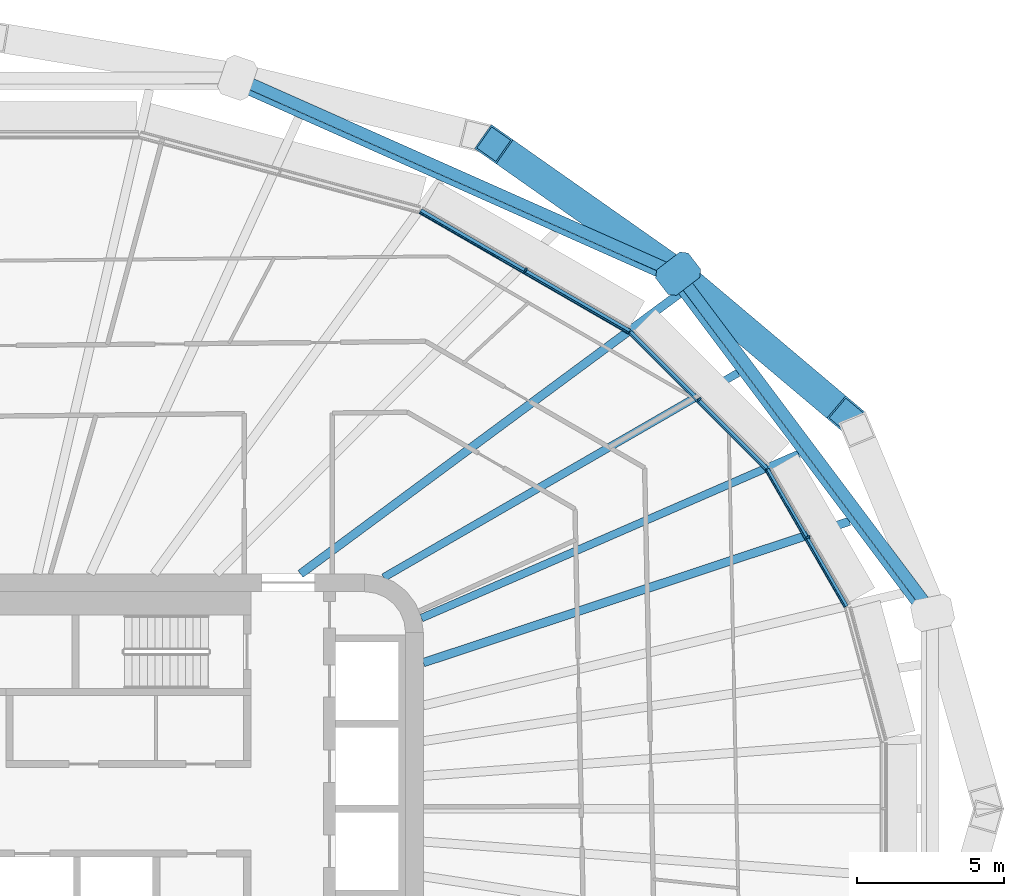
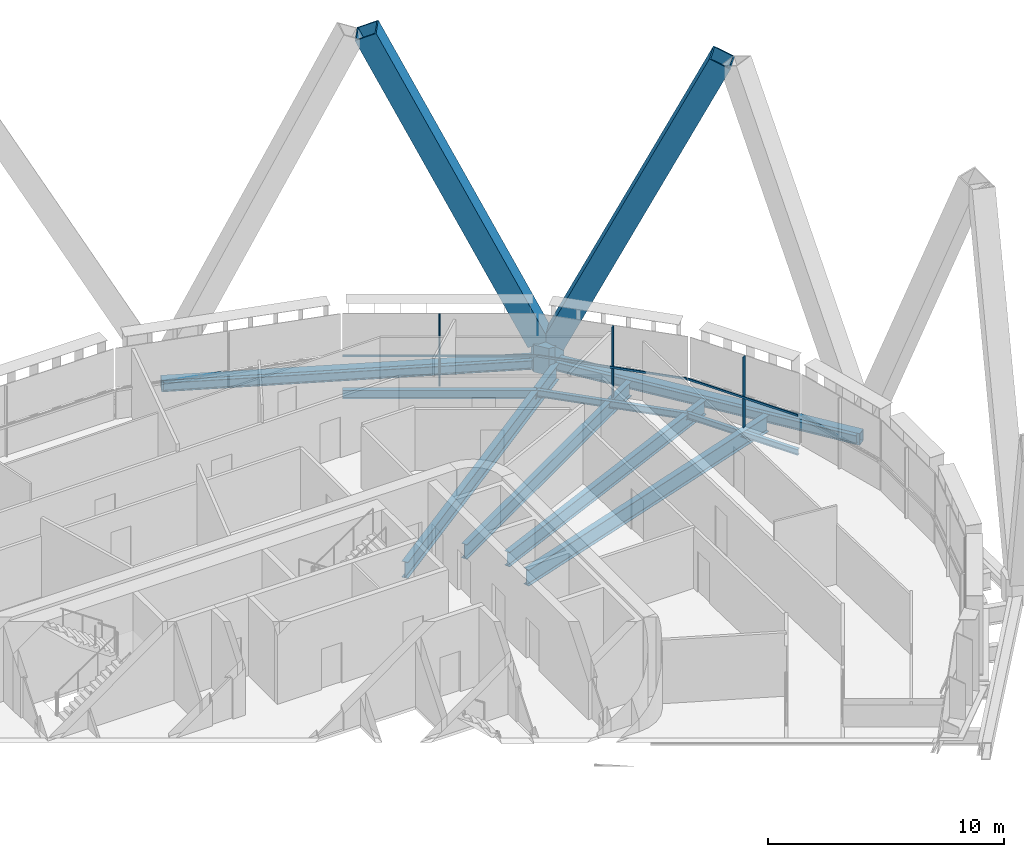
# One storey, part 10 of 25: 11 beams, 9 members, 3 elements without a shape of their own.
"""IFC4 building model written with IfcOpenShell, lengths in metres."""

from ifc_helpers import new_model, si_unit, direction, frame, origin, origin_2d, place, context, subcontext, project, spatial, polyline, rectangle, hollow_rectangle, i_section, outline, extrude, material, layer, layer_set, material_profile, profile_set, type_object, element, aggregate, save


model = new_model("IFC4")

# Units and contexts
model_context = context("Model", 3, precision=1e-05, world=origin(), true_north=direction((0.0, 1.0)))
body_context = subcontext(model_context, "Body", "Model", "MODEL_VIEW")
ifc_project = project(units=[si_unit("LENGTHUNIT", "METRE"), si_unit("AREAUNIT", "SQUARE_METRE"), si_unit("VOLUMEUNIT", "CUBIC_METRE"), si_unit("PLANEANGLEUNIT", "RADIAN"), si_unit("MASSUNIT", "GRAM", prefix="KILO")], contexts=[model_context])

# Site, building, storey
site_placement = place(None, origin())
site = spatial("IfcSite", under=ifc_project, at=site_placement, CompositionType="ELEMENT")
building_placement = place(site_placement, origin())
building = spatial("IfcBuilding", under=site, at=building_placement, Name="Sahrelin Media Tower", CompositionType="ELEMENT")
storey_placement = place(building_placement, frame((0.0, 0.0, 63.0)))
storey = spatial("IfcBuildingStorey", under=building, at=storey_placement, Name="L10", CompositionType="ELEMENT", Elevation=63.0)

# Members
ifc_material_1 = material(Name="Steel S460", Category="steel")
ifc_material_profile_1 = material_profile(ifc_material_1, hollow_rectangle(XDim=1.0, YDim=1.0, WallThickness=0.06005859375, at=origin_2d()), Name="Diagrid diagonal DG1")
ifc_profile_set_1 = profile_set([ifc_material_profile_1], Name="Steel S460")
member_type_1 = type_object("IfcMemberType", Name="Diagrid diagonal DG1", PredefinedType="BRACE", material=ifc_profile_set_1)
member_1_placement = place(storey_placement, frame((23.930419921875, 18.01708984375, 0.699951171875), z_axis=(0.322789301353, -0.272234018557, 0.90647432731), x_axis=(0.644705674883, 0.764430894701, 0.0)))
element("IfcMember", 1, at=member_1_placement, inside=storey, type_object=member_type_1, Name="Diagrid diagonal D01-02", PredefinedType="BRACE", context=body_context, shape_type="SweptSolid", body=[
    extrude(hollow_rectangle(XDim=1.0, YDim=1.0, WallThickness=0.06005859375, at=origin_2d()), origin(), (0.0, 0.0, 1.0), 16.989013671875),
])
member_2_placement = place(storey_placement, frame((23.408203125, 18.419189453125, 0.699951171875), z_axis=(-0.352189140752, 0.247399563402, 0.902638501929), x_axis=(-0.574813771639, -0.818284258638, 0.0)))
element("IfcMember", 2, at=member_2_placement, inside=storey, type_object=member_type_1, Name="Diagrid diagonal D01-03", PredefinedType="BRACE", context=body_context, shape_type="SweptSolid", body=[
    extrude(hollow_rectangle(XDim=1.0, YDim=1.0, WallThickness=0.06005859375, at=origin_2d()), origin(), (0.0, 0.0, 1.0), 17.061279296875),
])
ifc_material_profile_2 = material_profile(ifc_material_1, outline(polyline([(0.5, -0.550048828125), (0.699951171875, -0.35009765625), (0.699951171875, 0.35009765625), (0.5, 0.550048828125), (-0.5, 0.550048828125), (-0.699951171875, 0.35009765625), (-0.699951171875, -0.35009765625), (-0.5, -0.550048828125), (0.5, -0.550048828125)])), Name="Diagrid node block 1400")
ifc_profile_set_2 = profile_set([ifc_material_profile_2], Name="Steel S460")
member_type_2 = type_object("IfcMemberType", Name="Diagrid node block 1400", PredefinedType="USERDEFINED", material=ifc_profile_set_2)
member_3_placement = place(storey_placement, frame((23.68115234375, 18.227294921875, -0.699951171875), z_axis=(0.0, 0.0, 1.0), x_axis=(0.792445093645, 0.609943254376, 0.0)))
element("IfcMember", 3, at=member_3_placement, inside=storey, type_object=member_type_2, Name="Diagrid node N01-01", ObjectType="NODE", PredefinedType="USERDEFINED", context=body_context, shape_type="SweptSolid", body=[
    extrude(outline(polyline([(0.5, -0.550048828125), (0.699951171875, -0.35009765625), (0.699951171875, 0.35009765625), (0.5, 0.550048828125), (-0.5, 0.550048828125), (-0.699951171875, 0.35009765625), (-0.699951171875, -0.35009765625), (-0.5, -0.550048828125), (0.5, -0.550048828125)])), origin(), (0.0, 0.0, 1.0), 1.39990234375),
])

# Beams
ifc_material_profile_3 = material_profile(ifc_material_1, hollow_rectangle(XDim=0.39990234375, YDim=0.60009765625, WallThickness=0.030029296875, at=origin_2d()), Name="Diagrid ring beam RB1")
ifc_profile_set_3 = profile_set([ifc_material_profile_3], Name="Steel S460")
beam_type_1 = type_object("IfcBeamType", Name="Diagrid ring beam RB1", PredefinedType="BEAM", material=ifc_profile_set_3)
beam_1_placement = place(storey_placement, frame((32.34912109375, 6.671630859375, -0.449951171875), z_axis=(-0.600054081917, 0.799959435706, 0.0), x_axis=(-0.799959435706, -0.600054081917, 0.0)))
element("IfcBeam", 4, at=beam_1_placement, inside=storey, type_object=beam_type_1, Name="Diagrid ring beam RB01-00", PredefinedType="BEAM", context=body_context, shape_type="SweptSolid", body=[
    extrude(hollow_rectangle(XDim=0.39990234375, YDim=0.60009765625, WallThickness=0.030029296875, at=origin_2d()), origin(), (0.0, 0.0, 1.0), 14.4453125),
])
beam_2_placement = place(storey_placement, frame((23.68115234375, 18.227294921875, -0.449951171875), z_axis=(-0.913826255234, 0.406105374558, 0.0), x_axis=(-0.406105374558, -0.913826255234, 0.0)))
element("IfcBeam", 5, at=beam_2_placement, inside=storey, type_object=beam_type_1, Name="Diagrid ring beam RB01-01", PredefinedType="BEAM", context=body_context, shape_type="SweptSolid", body=[
    extrude(hollow_rectangle(XDim=0.39990234375, YDim=0.60009765625, WallThickness=0.030029296875, at=origin_2d()), origin(), (0.0, 0.0, 1.0), 16.428955078125),
])
ifc_material_2 = material(Name="Steel S355", Category="steel")
ifc_material_profile_4 = material_profile(ifc_material_2, i_section(OverallWidth=0.1650390625, OverallDepth=0.303466796875, WebThickness=0.006103515625, FlangeThickness=0.01025390625, FilletRadius=0.0087890625, at=origin_2d()), Name="UB 305x165x40")
ifc_profile_set_4 = profile_set([ifc_material_profile_4], Name="Steel S355")
beam_type_2 = type_object("IfcBeamType", Name="Edge beam EB2", PredefinedType="BEAM", material=ifc_profile_set_4)
beam_3_placement = place(storey_placement, frame((26.703125, 11.55810546875, -0.3017578125), z_axis=(0.500003162844, -0.866023577708, 0.0), x_axis=(0.866023577708, 0.500003162844, 0.0)))
element("IfcBeam", 6, at=beam_3_placement, inside=storey, type_object=beam_type_2, Name="Edge beam L10-23", PredefinedType="BEAM", context=body_context, shape_type="SweptSolid", body=[
    extrude(i_section(OverallWidth=0.1650390625, OverallDepth=0.303466796875, WebThickness=0.006103515625, FlangeThickness=0.01025390625, FilletRadius=0.0087890625, at=origin_2d()), origin(), (0.0, 0.0, 1.0), 5.3955078125),
])
ifc_material_profile_5 = material_profile(ifc_material_2, i_section(OverallWidth=0.17138671875, OverallDepth=0.35498046875, WebThickness=0.00732421875, FlangeThickness=0.011474609375, FilletRadius=0.01025390625, at=origin_2d()), Name="UB 356x171x51")
ifc_profile_set_5 = profile_set([ifc_material_profile_5], Name="Steel S355")
beam_type_3 = type_object("IfcBeamType", Name="Edge beam EB3", PredefinedType="BEAM", material=ifc_profile_set_5)
beam_4_placement = place(storey_placement, frame((22.03662109375, 16.22998046875, -0.327392578125), z_axis=(0.707106781187, -0.707106781187, 0.0), x_axis=(0.707106781187, 0.707106781187, 0.0)))
element("IfcBeam", 7, at=beam_4_placement, inside=storey, type_object=beam_type_3, Name="Edge beam L10-22", PredefinedType="BEAM", context=body_context, shape_type="SweptSolid", body=[
    extrude(i_section(OverallWidth=0.17138671875, OverallDepth=0.35498046875, WebThickness=0.00732421875, FlangeThickness=0.011474609375, FilletRadius=0.01025390625, at=origin_2d()), origin(), (0.0, 0.0, 1.0), 6.574951171875),
])
ifc_material_profile_6 = material_profile(ifc_material_2, i_section(OverallWidth=0.1904296875, OverallDepth=0.45703125, WebThickness=0.009033203125, FlangeThickness=0.014404296875, FilletRadius=0.01025390625, at=origin_2d()), Name="UB 457x191x74")
ifc_profile_set_6 = profile_set([ifc_material_profile_6], Name="Steel S355")
beam_type_4 = type_object("IfcBeamType", Name="Edge beam EB5", PredefinedType="BEAM", material=ifc_profile_set_6)
beam_5_placement = place(storey_placement, frame((14.895263671875, 20.357421875, -0.37841796875), z_axis=(0.866022854634, -0.500004415232, 0.0), x_axis=(0.500004415232, 0.866022854634, 0.0)))
element("IfcBeam", 8, at=beam_5_placement, inside=storey, type_object=beam_type_4, Name="Edge beam L10-21", PredefinedType="BEAM", context=body_context, shape_type="SweptSolid", body=[
    extrude(i_section(OverallWidth=0.1904296875, OverallDepth=0.45703125, WebThickness=0.009033203125, FlangeThickness=0.014404296875, FilletRadius=0.01025390625, at=origin_2d()), origin(), (0.0, 0.0, 1.0), 8.2197265625),
])

# Curtain wall, member
ifc_material_3 = material(Name="Champagne anodised aluminium 6063-T6", Category="aluminium")
ifc_layer = layer(ifc_material_3, 0.14990234375)
ifc_layer_set = layer_set([ifc_layer], Name="Tower ribbon curtain wall")
curtain_wall_type = type_object("IfcCurtainWallType", Name="Tower ribbon curtain wall", PredefinedType="NOTDEFINED", material=ifc_layer_set)
curtain_wall_1_placement = place(storey_placement, frame((28.181884765625, 9.296630859375, 0.0), z_axis=(0.0, 0.0, 1.0), x_axis=(1.0, 0.0, 0.0)))
curtain_wall_1 = element("IfcCurtainWall", 9, at=curtain_wall_1_placement, inside=storey, type_object=curtain_wall_type, Name="L10:CW:L10-02", PredefinedType="NOTDEFINED")
ifc_material_profile_7 = material_profile(ifc_material_3, rectangle(XDim=0.06005859375, YDim=0.14990234375, at=origin_2d()), Name="Mullion 60x150")
ifc_profile_set_7 = profile_set([ifc_material_profile_7], Name="Champagne anodised aluminium 6063-T6")
member_type_3 = type_object("IfcMemberType", Name="Mullion 60x150 CW1", PredefinedType="MULLION", material=ifc_profile_set_7)
member_4_placement = place(storey_placement, frame((28.099609375, 9.249267578125, 0.0), z_axis=(0.0, 0.0, 1.0), x_axis=(-0.499996976998, 0.866027149108, 0.0)))
member_4 = element("IfcMember", 10, at=member_4_placement, type_object=member_type_3, Name="L10:CWM:L10-02", PredefinedType="MULLION", context=body_context, shape_type="SweptSolid", body=[
    extrude(rectangle(XDim=0.06005859375, YDim=0.14990234375, at=origin_2d()), origin(), (0.0, 0.0, 1.0), 3.648681640625),
])

curtain_wall_2_placement = place(storey_placement, frame((24.46728515625, 14.011474609375, 0.0), z_axis=(0.0, 0.0, 1.0), x_axis=(1.0, 0.0, 0.0)))
curtain_wall_2 = element("IfcCurtainWall", 11, at=curtain_wall_2_placement, inside=storey, type_object=curtain_wall_type, Name="L10:CW:L10-03", PredefinedType="NOTDEFINED")
member_5_placement = place(storey_placement, frame((24.39990234375, 13.9443359375, 0.0), z_axis=(0.0, 0.0, 1.0), x_axis=(-0.707106781187, 0.707106781187, 0.0)))
member_5 = element("IfcMember", 12, at=member_5_placement, type_object=member_type_3, Name="L10:CWM:L10-03", PredefinedType="MULLION", context=body_context, shape_type="SweptSolid", body=[
    extrude(rectangle(XDim=0.06005859375, YDim=0.14990234375, at=origin_2d()), origin(), (0.0, 0.0, 1.0), 3.648681640625),
])

curtain_wall_3_placement = place(storey_placement, frame((18.529296875, 18.432373046875, 0.0), z_axis=(0.0, 0.0, 1.0), x_axis=(1.0, 0.0, 0.0)))
curtain_wall_3 = element("IfcCurtainWall", 13, at=curtain_wall_3_placement, inside=storey, type_object=curtain_wall_type, Name="L10:CW:L10-04", PredefinedType="NOTDEFINED")
member_6_placement = place(storey_placement, frame((18.48193359375, 18.35009765625, 0.0), z_axis=(0.0, 0.0, 1.0), x_axis=(-0.866025403784, 0.5, 0.0)))
member_6 = element("IfcMember", 14, at=member_6_placement, type_object=member_type_3, Name="L10:CWM:L10-04", PredefinedType="MULLION", context=body_context, shape_type="SweptSolid", body=[
    extrude(rectangle(XDim=0.06005859375, YDim=0.14990234375, at=origin_2d()), origin(), (0.0, 0.0, 1.0), 3.648681640625),
])

# Beams
ifc_material_profile_8 = material_profile(ifc_material_2, i_section(OverallWidth=0.291748046875, OverallDepth=0.8349609375, WebThickness=0.013916015625, FlangeThickness=0.018798828125, FilletRadius=0.017822265625, at=origin_2d()), Name="UB 838x292x176")
ifc_profile_set_8 = profile_set([ifc_material_profile_8], Name="Steel S355")
beam_type_5 = type_object("IfcBeamType", Name="Radial primary beam PB10", PredefinedType="BEAM", material=ifc_profile_set_8)
beam_6_placement = place(storey_placement, frame((10.8154296875, 8.0, -0.5673828125), z_axis=(0.803971039313, 0.59466845212, 0.0), x_axis=(-0.59466845212, 0.803971039313, 0.0)))
element("IfcBeam", 15, at=beam_6_placement, inside=storey, type_object=beam_type_5, Name="Radial beam L10-04", PredefinedType="BEAM", context=body_context, shape_type="SweptSolid", body=[
    extrude(i_section(OverallWidth=0.291748046875, OverallDepth=0.8349609375, WebThickness=0.013916015625, FlangeThickness=0.018798828125, FilletRadius=0.017822265625, at=origin_2d()), origin(), (0.0, 0.0, 1.0), 16.033935546875),
])
ifc_material_profile_9 = material_profile(ifc_material_2, i_section(OverallWidth=0.26513671875, OverallDepth=0.75390625, WebThickness=0.0126953125, FlangeThickness=0.017578125, FilletRadius=0.0166015625, at=origin_2d()), Name="UB 762x267x147")
ifc_profile_set_9 = profile_set([ifc_material_profile_9], Name="Steel S355")
beam_type_6 = type_object("IfcBeamType", Name="Radial primary beam PB9", PredefinedType="BEAM", material=ifc_profile_set_9)
beam_7_placement = place(storey_placement, frame((14.934814453125, 6.495361328125, -0.527099609375), z_axis=(0.917024373813, 0.398831164572, 0.0), x_axis=(-0.398831164572, 0.917024373813, 0.0)))
element("IfcBeam", 16, at=beam_7_placement, inside=storey, type_object=beam_type_6, Name="Radial beam L10-03", PredefinedType="BEAM", context=body_context, shape_type="SweptSolid", body=[
    extrude(i_section(OverallWidth=0.26513671875, OverallDepth=0.75390625, WebThickness=0.0126953125, FlangeThickness=0.017578125, FilletRadius=0.0166015625, at=origin_2d()), origin(), (0.0, 0.0, 1.0), 14.02099609375),
])
ifc_material_profile_10 = material_profile(ifc_material_2, i_section(OverallWidth=0.291748046875, OverallDepth=0.8349609375, WebThickness=0.013916015625, FlangeThickness=0.018798828125, FilletRadius=0.017822265625, at=origin_2d()), Name="UB 838x292x176")
ifc_profile_set_10 = profile_set([ifc_material_profile_10], Name="Steel S355")
beam_type_7 = type_object("IfcBeamType", Name="Radial secondary beam SB10", PredefinedType="BEAM", material=ifc_profile_set_10)
beam_8_placement = place(storey_placement, frame((15.0, 4.97607421875, -0.5673828125), z_axis=(0.949135713963, 0.314867268035, 0.0), x_axis=(-0.314867268035, 0.949135713963, 0.0)))
element("IfcBeam", 17, at=beam_8_placement, inside=storey, type_object=beam_type_7, Name="Secondary beam L10-02", PredefinedType="BEAM", context=body_context, shape_type="SweptSolid", body=[
    extrude(i_section(OverallWidth=0.291748046875, OverallDepth=0.8349609375, WebThickness=0.013916015625, FlangeThickness=0.018798828125, FilletRadius=0.017822265625, at=origin_2d()), origin(), (0.0, 0.0, 1.0), 15.292724609375),
])
ifc_material_profile_11 = material_profile(ifc_material_2, i_section(OverallWidth=0.26513671875, OverallDepth=0.75390625, WebThickness=0.0126953125, FlangeThickness=0.017578125, FilletRadius=0.0166015625, at=origin_2d()), Name="UB 762x267x147")
ifc_profile_set_11 = profile_set([ifc_material_profile_11], Name="Steel S355")
beam_type_8 = type_object("IfcBeamType", Name="Radial secondary beam SB9", PredefinedType="BEAM", material=ifc_profile_set_11)
beam_9_placement = place(storey_placement, frame((13.647216796875, 7.87841796875, -0.527099609375), z_axis=(0.866051448613, 0.499954886321, 0.0), x_axis=(-0.499954886321, 0.866051448613, 0.0)))
element("IfcBeam", 18, at=beam_9_placement, inside=storey, type_object=beam_type_8, Name="Secondary beam L10-03", PredefinedType="BEAM", context=body_context, shape_type="SweptSolid", body=[
    extrude(i_section(OverallWidth=0.26513671875, OverallDepth=0.75390625, WebThickness=0.0126953125, FlangeThickness=0.017578125, FilletRadius=0.0166015625, at=origin_2d()), origin(), (0.0, 0.0, 1.0), 13.941650390625),
])
ifc_material_profile_12 = material_profile(ifc_material_2, i_section(OverallWidth=0.1904296875, OverallDepth=0.45703125, WebThickness=0.009033203125, FlangeThickness=0.014404296875, FilletRadius=0.01025390625, at=origin_2d()), Name="UB 457x191x74")
ifc_profile_set_12 = profile_set([ifc_material_profile_12], Name="Steel S355")
beam_type_9 = type_object("IfcBeamType", Name="Tie chord TC5", PredefinedType="BEAM", material=ifc_profile_set_12)
beam_10_placement = place(storey_placement, frame((8.604248046875, 24.598876953125, -0.37841796875), z_axis=(0.913831946154, -0.406092568497, 0.0), x_axis=(0.406092568497, 0.913831946154, 0.0)))
element("IfcBeam", 19, at=beam_10_placement, inside=storey, type_object=beam_type_9, Name="Tie chord L10-11", PredefinedType="BEAM", context=body_context, shape_type="SweptSolid", body=[
    extrude(i_section(OverallWidth=0.1904296875, OverallDepth=0.45703125, WebThickness=0.009033203125, FlangeThickness=0.014404296875, FilletRadius=0.01025390625, at=origin_2d()), origin(), (0.0, 0.0, 1.0), 16.286865234375),
])
beam_11_placement = place(storey_placement, frame((23.48779296875, 17.98486328125, -0.37841796875), z_axis=(0.600057493907, -0.799956876341, 0.0), x_axis=(0.799956876341, 0.600057493907, 0.0)))
element("IfcBeam", 20, at=beam_11_placement, inside=storey, type_object=beam_type_9, Name="Tie chord L10-12", PredefinedType="BEAM", context=body_context, shape_type="SweptSolid", body=[
    extrude(i_section(OverallWidth=0.1904296875, OverallDepth=0.45703125, WebThickness=0.009033203125, FlangeThickness=0.014404296875, FilletRadius=0.01025390625, at=origin_2d()), origin(), (0.0, 0.0, 1.0), 14.267333984375),
])

# Member
ifc_material_profile_13 = material_profile(ifc_material_3, rectangle(XDim=0.050048828125, YDim=0.10009765625, at=origin_2d()), Name="Transom 50x100")
ifc_profile_set_13 = profile_set([ifc_material_profile_13], Name="Champagne anodised aluminium 6063-T6")
member_type_4 = type_object("IfcMemberType", Name="Transom 50x100 CW1", PredefinedType="USERDEFINED", material=ifc_profile_set_13)
member_7_placement = place(storey_placement, frame((29.35400390625, 6.87646484375, 1.60009765625), z_axis=(-0.499971977112, 0.866041582202, 0.0), x_axis=(-0.866041582202, -0.499971977112, 0.0)))
member_7 = element("IfcMember", 21, at=member_7_placement, type_object=member_type_4, Name="L10:CWT:L10-02", ObjectType="TRANSOM", PredefinedType="USERDEFINED", context=body_context, shape_type="SweptSolid", body=[
    extrude(rectangle(XDim=0.050048828125, YDim=0.10009765625, at=origin_2d()), origin(), (0.0, 0.0, 1.0), 5.364013671875),
])

aggregate(curtain_wall_1, [member_4, member_7])

member_8_placement = place(storey_placement, frame((26.642822265625, 11.560302734375, 1.60009765625), z_axis=(-0.707106781187, 0.707106781187, 0.0), x_axis=(-0.707106781187, -0.707106781187, 0.0)))
member_8 = element("IfcMember", 22, at=member_8_placement, type_object=member_type_4, Name="L10:CWT:L10-03", ObjectType="TRANSOM", PredefinedType="USERDEFINED", context=body_context, shape_type="SweptSolid", body=[
    extrude(rectangle(XDim=0.050048828125, YDim=0.10009765625, at=origin_2d()), origin(), (0.0, 0.0, 1.0), 6.54345703125),
])

aggregate(curtain_wall_2, [member_5, member_8])

member_9_placement = place(storey_placement, frame((21.9775390625, 16.216552734375, 1.60009765625), z_axis=(-0.866034646646, 0.499983990553, 0.0), x_axis=(-0.499983990553, -0.866034646646, 0.0)))
member_9 = element("IfcMember", 23, at=member_9_placement, type_object=member_type_4, Name="L10:CWT:L10-04", ObjectType="TRANSOM", PredefinedType="USERDEFINED", context=body_context, shape_type="SweptSolid", body=[
    extrude(rectangle(XDim=0.050048828125, YDim=0.10009765625, at=origin_2d()), origin(), (0.0, 0.0, 1.0), 8.188232421875),
])

aggregate(curtain_wall_3, [member_6, member_9])

save(model, "model.ifc")
